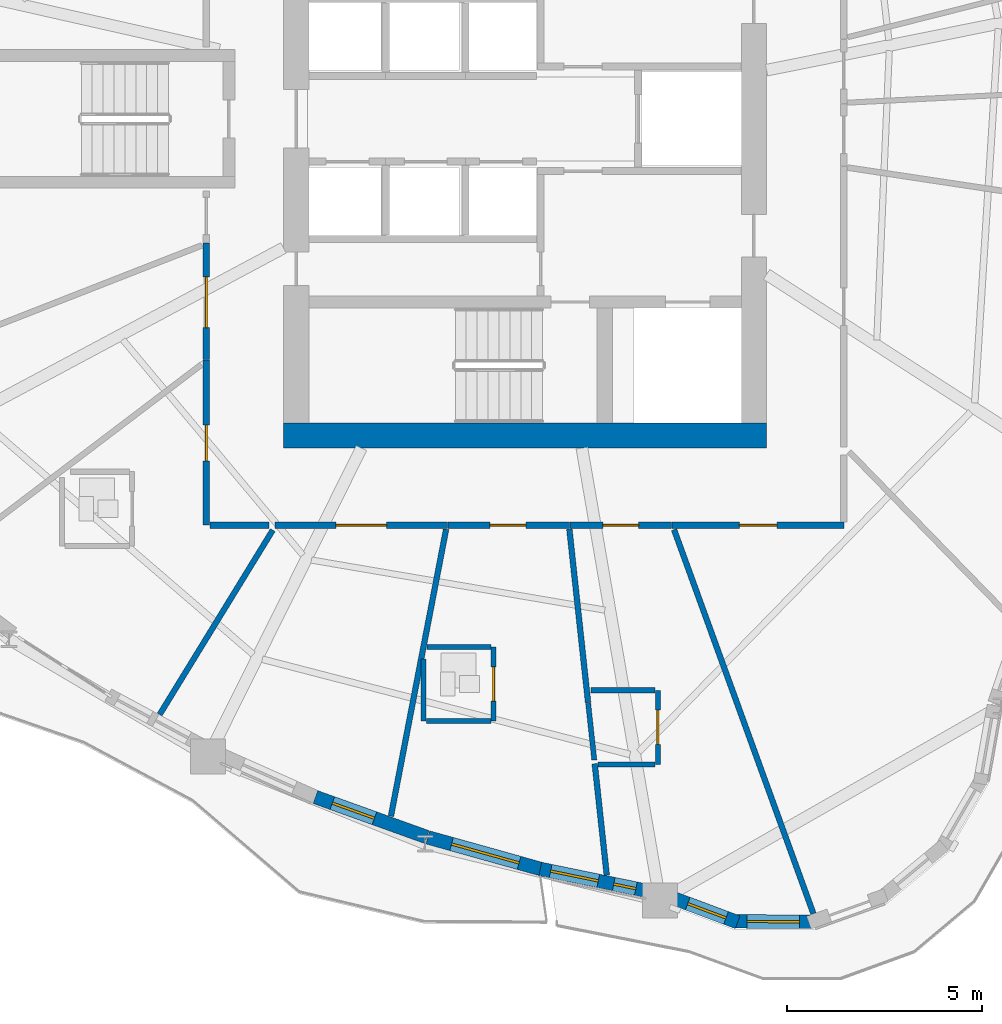
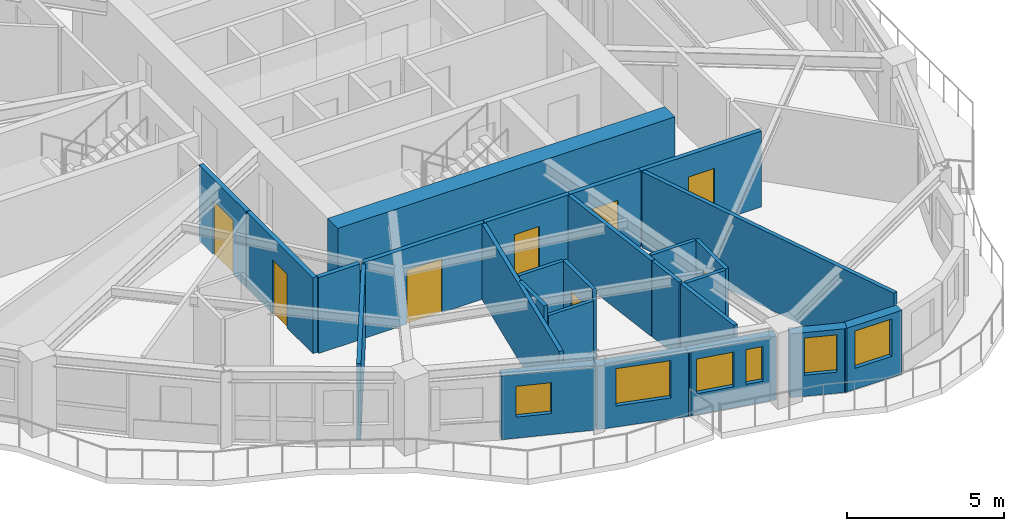
# One storey, part 5 of 15: 26 walls, 8 doors, 6 windows, 14 openings.
"""IFC4 building model written with IfcOpenShell, lengths in metres."""

from ifc_helpers import new_model, si_unit, direction, frame, frame_2d, origin, place, context, subcontext, project, spatial, rectangle, extrude, source, transform, mapped, material, layer, layer_set, type_object, element, fill, save


model = new_model("IFC4")

# Units and contexts
model_context = context("Model", 3, precision=1e-05, world=origin(), true_north=direction((0.0, 1.0)))
body_context = subcontext(model_context, "Body", "Model", "MODEL_VIEW")
ifc_project = project(units=[si_unit("LENGTHUNIT", "METRE"), si_unit("AREAUNIT", "SQUARE_METRE"), si_unit("VOLUMEUNIT", "CUBIC_METRE"), si_unit("PLANEANGLEUNIT", "RADIAN"), si_unit("MASSUNIT", "GRAM", prefix="KILO")], contexts=[model_context])

# Site, building, storey
site_placement = place(None, origin())
site = spatial("IfcSite", under=ifc_project, at=site_placement, CompositionType="ELEMENT")
building_placement = place(site_placement, origin())
building = spatial("IfcBuilding", under=site, at=building_placement, Name="Qafzar Sky-Pleat Residences", CompositionType="ELEMENT")
storey_placement = place(building_placement, frame((0.0, 0.0, 70.39990234375)))
storey = spatial("IfcBuildingStorey", under=building, at=storey_placement, Name="L20", CompositionType="ELEMENT", Elevation=70.39990234375)

# Wall, opening, door
ifc_material_1 = material(Name="Acoustic gypsum plasterboard partition", Category="gypsum")
ifc_layer_1 = layer(ifc_material_1, 0.159912109375)
ifc_layer_set_1 = layer_set([ifc_layer_1], Name="Acoustic gypsum plasterboard partition")
wall_type_1 = type_object("IfcWallType", Name="PART-COR-160", PredefinedType="PARTITIONING", material=ifc_layer_set_1)
wall_1_placement = place(storey_placement, frame((28.35888671875, 15.570068359375, 0.0), z_axis=(0.0, 0.0, 1.0), x_axis=(-1.0, 0.0, 0.0)))
wall_1 = element("IfcWall", 1, at=wall_1_placement, inside=storey, type_object=wall_type_1, Name="L20 Partition Wall PART-L20-PW-005", PredefinedType="PARTITIONING", context=body_context, shape_type="SweptSolid", body=[
    extrude(rectangle(XDim=4.423828125, YDim=0.159912109375, at=frame_2d((2.2119140625, 0.0))), origin(), (0.0, 0.0, 1.0), 2.9501953125),
])
opening_1_placement = place(wall_1_placement, frame((1.56103515625, 0.0, 0.0)))
opening_1 = element("IfcOpeningElement", 2, at=opening_1_placement, cuts=wall_1, Name="Opening ID-05", PredefinedType="OPENING", context=body_context, shape_type="SweptSolid", body=[
    extrude(rectangle(XDim=1.300048828125, YDim=2.10009765625, at=frame_2d((0.64990234375, 1.050048828125))), frame((0.0, 0.08984375, 0.0), z_axis=(0.0, -1.0, 0.0), x_axis=(1.0, 0.0, 0.0)), (0.0, 0.0, 1.0), 0.179931640625),
])
ifc_material_2 = material(Name="Timber-faced fire door", Category="wood")
door_type_1 = type_object("IfcDoorType", Name="DR-LNG-1300", OperationType="DOUBLE_DOOR_SINGLE_SWING", PredefinedType="DOOR", material=ifc_material_2)
shared_shape_1 = source(origin(), body_context, "Body", "SweptSolid", [
    extrude(rectangle(XDim=1.300048828125, YDim=2.10009765625, at=frame_2d((0.64990234375, 1.050048828125))), frame((0.0, 0.02490234375, 0.0), z_axis=(0.0, -1.0, 0.0), x_axis=(1.0, 0.0, 0.0)), (0.0, 0.0, 1.0), 0.050048828125),
])
door_1_placement = place(opening_1_placement, origin())
door_1 = element("IfcDoor", 3, at=door_1_placement, inside=storey, type_object=door_type_1, Name="L20 Communal Kitchen Door", OperationType="DOUBLE_DOOR_SINGLE_SWING", OverallHeight=2.10009765625, OverallWidth=1.300048828125, PredefinedType="DOOR", context=body_context, shape_type="MappedRepresentation", body=[
    mapped(shared_shape_1, transform((0.0, 0.0, 0.0), x_axis=(1.0, 0.0, 0.0), y_axis=(0.0, 1.0, 0.0), z_axis=(0.0, 0.0, 1.0), scale=1.0)),
])
fill(opening_1, door_1)

wall_2_placement = place(storey_placement, frame((38.530029296875, 15.570068359375, 0.0), z_axis=(0.0, 0.0, 1.0), x_axis=(-1.0, 0.0, 0.0)))
wall_2 = element("IfcWall", 4, at=wall_2_placement, inside=storey, type_object=wall_type_1, Name="L20 Partition Wall PART-L20-PW-006", PredefinedType="PARTITIONING", context=body_context, shape_type="SweptSolid", body=[
    extrude(rectangle(XDim=4.412109375, YDim=0.159912109375, at=frame_2d((2.2060546875, 0.0))), origin(), (0.0, 0.0, 1.0), 2.9501953125),
])
opening_2_placement = place(wall_2_placement, frame((1.718017578125, 0.0, 0.0)))
opening_2 = element("IfcOpeningElement", 5, at=opening_2_placement, cuts=wall_2, Name="Opening ID-06", PredefinedType="OPENING", context=body_context, shape_type="SweptSolid", body=[
    extrude(rectangle(XDim=0.9599609375, YDim=2.10009765625, at=frame_2d((0.47998046875, 1.050048828125))), frame((0.0, 0.08984375, 0.0), z_axis=(0.0, -1.0, 0.0), x_axis=(1.0, 0.0, 0.0)), (0.0, 0.0, 1.0), 0.179931640625),
])
door_type_2 = type_object("IfcDoorType", Name="DR-STD-960", OperationType="NOTDEFINED", PredefinedType="DOOR", material=ifc_material_2)
shared_shape_2 = source(origin(), body_context, "Body", "SweptSolid", [
    extrude(rectangle(XDim=0.9599609375, YDim=2.10009765625, at=frame_2d((0.47998046875, 1.050048828125))), frame((0.0, 0.02490234375, 0.0), z_axis=(0.0, -1.0, 0.0), x_axis=(1.0, 0.0, 0.0)), (0.0, 0.0, 1.0), 0.050048828125),
])
door_2_placement = place(opening_2_placement, origin())
door_2 = element("IfcDoor", 6, at=door_2_placement, inside=storey, type_object=door_type_2, Name="L20 Graduate Desk Workspace Door", OperationType="SINGLE_SWING_RIGHT", OverallHeight=2.10009765625, OverallWidth=0.9599609375, PredefinedType="DOOR", context=body_context, shape_type="MappedRepresentation", body=[
    mapped(shared_shape_2, transform((0.0, 0.0, 0.0), x_axis=(1.0, 0.0, 0.0), y_axis=(0.0, 1.0, 0.0), z_axis=(0.0, 0.0, 1.0), scale=1.0)),
])
fill(opening_2, door_2)

wall_3_placement = place(storey_placement, frame((22.169921875, 15.570068359375, 0.0), z_axis=(0.0, 0.0, 1.0), x_axis=(0.0, 1.0, 0.0)))
wall_3 = element("IfcWall", 7, at=wall_3_placement, inside=storey, type_object=wall_type_1, Name="L20 Partition Wall PART-L20-PW-007", PredefinedType="PARTITIONING", context=body_context, shape_type="SweptSolid", body=[
    extrude(rectangle(XDim=4.238037109375, YDim=0.159912109375, at=frame_2d((2.119140625, 0.0))), origin(), (0.0, 0.0, 1.0), 2.9501953125),
])
opening_3_placement = place(wall_3_placement, frame((1.6494140625, 0.0, 0.0)))
opening_3 = element("IfcOpeningElement", 8, at=opening_3_placement, cuts=wall_3, Name="Opening ID-04", PredefinedType="OPENING", context=body_context, shape_type="SweptSolid", body=[
    extrude(rectangle(XDim=0.919921875, YDim=2.10009765625, at=frame_2d((0.4599609375, 1.050048828125))), frame((0.0, 0.08984375, 0.0), z_axis=(0.0, -1.0, 0.0), x_axis=(1.0, 0.0, 0.0)), (0.0, 0.0, 1.0), 0.179931640625),
])
door_type_3 = type_object("IfcDoorType", Name="DR-BED-920", OperationType="NOTDEFINED", PredefinedType="DOOR", material=ifc_material_2)
shared_shape_3 = source(origin(), body_context, "Body", "SweptSolid", [
    extrude(rectangle(XDim=0.919921875, YDim=2.10009765625, at=frame_2d((0.4599609375, 1.050048828125))), frame((0.0, 0.02490234375, 0.0), z_axis=(0.0, -1.0, 0.0), x_axis=(1.0, 0.0, 0.0)), (0.0, 0.0, 1.0), 0.050048828125),
])
door_3_placement = place(opening_3_placement, origin())
door_3 = element("IfcDoor", 9, at=door_3_placement, inside=storey, type_object=door_type_3, Name="L20 Co-Living Bedroom 5 Door", OperationType="SINGLE_SWING_LEFT", OverallHeight=2.10009765625, OverallWidth=0.919921875, PredefinedType="DOOR", context=body_context, shape_type="MappedRepresentation", body=[
    mapped(shared_shape_3, transform((0.0, 0.0, 0.0), x_axis=(1.0, 0.0, 0.0), y_axis=(0.0, 1.0, 0.0), z_axis=(0.0, 0.0, 1.0), scale=1.0)),
])
fill(opening_3, door_3)

wall_4_placement = place(storey_placement, frame((31.491943359375, 15.570068359375, 0.0), z_axis=(0.0, 0.0, 1.0), x_axis=(-1.0, 0.0, 0.0)))
wall_4 = element("IfcWall", 10, at=wall_4_placement, inside=storey, type_object=wall_type_1, Name="L20 Partition Wall PART-L20-PW-010", PredefinedType="PARTITIONING", context=body_context, shape_type="SweptSolid", body=[
    extrude(rectangle(XDim=3.117919921875, YDim=0.159912109375, at=frame_2d((1.55908203125, 0.0))), origin(), (0.0, 0.0, 1.0), 2.9501953125),
])
opening_4_placement = place(wall_4_placement, frame((1.12158203125, 0.0, 0.0)))
opening_4 = element("IfcOpeningElement", 11, at=opening_4_placement, cuts=wall_4, Name="Opening ID-04", PredefinedType="OPENING", context=body_context, shape_type="SweptSolid", body=[
    extrude(rectangle(XDim=0.919921875, YDim=2.10009765625, at=frame_2d((0.4599609375, 1.050048828125))), frame((0.0, 0.08984375, 0.0), z_axis=(0.0, -1.0, 0.0), x_axis=(1.0, 0.0, 0.0)), (0.0, 0.0, 1.0), 0.179931640625),
])
door_4_placement = place(opening_4_placement, origin())
door_4 = element("IfcDoor", 12, at=door_4_placement, inside=storey, type_object=door_type_3, Name="L20 Co-Living Bedroom 6 Door", OperationType="SINGLE_SWING_RIGHT", OverallHeight=2.10009765625, OverallWidth=0.919921875, PredefinedType="DOOR", context=body_context, shape_type="MappedRepresentation", body=[
    mapped(shared_shape_3, transform((0.0, 0.0, 0.0), x_axis=(1.0, 0.0, 0.0), y_axis=(0.0, 1.0, 0.0), z_axis=(0.0, 0.0, 1.0), scale=1.0)),
])
fill(opening_4, door_4)

wall_5_placement = place(storey_placement, frame((22.169921875, 19.822998046875, 0.0), z_axis=(0.0, 0.0, 1.0), x_axis=(0.0, 1.0, 0.0)))
wall_5 = element("IfcWall", 13, at=wall_5_placement, inside=storey, type_object=wall_type_1, Name="L20 Partition Wall PART-L20-PW-012", PredefinedType="PARTITIONING", context=body_context, shape_type="SweptSolid", body=[
    extrude(rectangle(XDim=2.990966796875, YDim=0.159912109375, at=frame_2d((1.49560546875, 0.0))), origin(), (0.0, 0.0, 1.0), 2.9501953125),
])
opening_5_placement = place(wall_5_placement, frame((0.820556640625, 0.0, 0.0)))
opening_5 = element("IfcOpeningElement", 14, at=opening_5_placement, cuts=wall_5, Name="Opening ID-05", PredefinedType="OPENING", context=body_context, shape_type="SweptSolid", body=[
    extrude(rectangle(XDim=1.300048828125, YDim=2.10009765625, at=frame_2d((0.64990234375, 1.050048828125))), frame((0.0, 0.08984375, 0.0), z_axis=(0.0, -1.0, 0.0), x_axis=(1.0, 0.0, 0.0)), (0.0, 0.0, 1.0), 0.179931640625),
])
door_5_placement = place(opening_5_placement, origin())
door_5 = element("IfcDoor", 15, at=door_5_placement, inside=storey, type_object=door_type_1, Name="L20 Common Dining Room Door", OperationType="DOUBLE_DOOR_SINGLE_SWING", OverallHeight=2.10009765625, OverallWidth=1.300048828125, PredefinedType="DOOR", context=body_context, shape_type="MappedRepresentation", body=[
    mapped(shared_shape_1, transform((0.0, 0.0, 0.0), x_axis=(1.0, 0.0, 0.0), y_axis=(0.0, 1.0, 0.0), z_axis=(0.0, 0.0, 1.0), scale=1.0)),
])
fill(opening_5, door_5)

wall_6_placement = place(storey_placement, frame((34.10302734375, 15.570068359375, 0.0), z_axis=(0.0, 0.0, 1.0), x_axis=(-1.0, 0.0, 0.0)))
wall_6 = element("IfcWall", 16, at=wall_6_placement, inside=storey, type_object=wall_type_1, Name="L20 Partition Wall PART-L20-PW-013", PredefinedType="PARTITIONING", context=body_context, shape_type="SweptSolid", body=[
    extrude(rectangle(XDim=2.595947265625, YDim=0.159912109375, at=frame_2d((1.2978515625, 0.0))), origin(), (0.0, 0.0, 1.0), 2.9501953125),
])
opening_6_placement = place(wall_6_placement, frame((0.83740234375, 0.0, 0.0)))
opening_6 = element("IfcOpeningElement", 17, at=opening_6_placement, cuts=wall_6, Name="Opening ID-04", PredefinedType="OPENING", context=body_context, shape_type="SweptSolid", body=[
    extrude(rectangle(XDim=0.919921875, YDim=2.10009765625, at=frame_2d((0.4599609375, 1.050048828125))), frame((0.0, 0.08984375, 0.0), z_axis=(0.0, -1.0, 0.0), x_axis=(1.0, 0.0, 0.0)), (0.0, 0.0, 1.0), 0.179931640625),
])
door_6_placement = place(opening_6_placement, origin())
door_6 = element("IfcDoor", 18, at=door_6_placement, inside=storey, type_object=door_type_3, Name="L20 Co-Living Bedroom 7 Door", OperationType="SINGLE_SWING_LEFT", OverallHeight=2.10009765625, OverallWidth=0.919921875, PredefinedType="DOOR", context=body_context, shape_type="MappedRepresentation", body=[
    mapped(shared_shape_3, transform((0.0, 0.0, 0.0), x_axis=(1.0, 0.0, 0.0), y_axis=(0.0, 1.0, 0.0), z_axis=(0.0, 0.0, 1.0), scale=1.0)),
])
fill(opening_6, door_6)

# Walls
wall_7_placement = place(storey_placement, frame((22.258056640625, 15.570068359375, 0.0), z_axis=(0.0, 0.0, 1.0), x_axis=(1.0, 0.0, 0.0)))
element("IfcWall", 19, at=wall_7_placement, inside=storey, type_object=wall_type_1, Name="L20 Partition Wall PART-L20-PW-062", PredefinedType="PARTITIONING", context=body_context, shape_type="SweptSolid", body=[
    extrude(rectangle(XDim=1.519775390625, YDim=0.159912109375, at=frame_2d((0.759765625, 0.0))), origin(), (0.0, 0.0, 1.0), 2.9501953125),
])
ifc_layer_2 = layer(ifc_material_1, 0.14501953125)
ifc_layer_set_2 = layer_set([ifc_layer_2], Name="Acoustic gypsum plasterboard partition")
wall_type_2 = type_object("IfcWallType", Name="PART-UNIT-145", PredefinedType="PARTITIONING", material=ifc_layer_set_2)
wall_8_placement = place(storey_placement, frame((34.1748046875, 15.457763671875, 0.0), z_axis=(0.0, 0.0, 1.0), x_axis=(0.341079223998, -0.940034554129, 0.0)))
element("IfcWall", 20, at=wall_8_placement, inside=storey, type_object=wall_type_2, Name="L20 Partition Wall PART-L20-PW-026", PredefinedType="PARTITIONING", context=body_context, shape_type="SweptSolid", body=[
    extrude(rectangle(XDim=10.484130859375, YDim=0.14501953125, at=frame_2d((5.2421875, 0.0))), origin(), (0.0, 0.0, 1.0), 2.9501953125),
])
wall_9_placement = place(storey_placement, frame((26.90771484375, 8.10400390625, 0.0), z_axis=(0.0, 0.0, 1.0), x_axis=(0.188911386882, 0.981994138428, 0.0)))
element("IfcWall", 21, at=wall_9_placement, inside=storey, type_object=wall_type_2, Name="L20 Partition Wall PART-L20-PW-033", PredefinedType="PARTITIONING", context=body_context, shape_type="SweptSolid", body=[
    extrude(rectangle(XDim=7.49951171875, YDim=0.14501953125, at=frame_2d((3.749755859375, 0.0))), origin(), (0.0, 0.0, 1.0), 2.9501953125),
])
wall_10_placement = place(storey_placement, frame((20.973388671875, 10.714599609375, 0.0), z_axis=(0.0, 0.0, 1.0), x_axis=(0.522906546436, 0.852390018533, 0.0)))
element("IfcWall", 22, at=wall_10_placement, inside=storey, type_object=wall_type_2, Name="L20 Partition Wall PART-L20-PW-040", PredefinedType="PARTITIONING", context=body_context, shape_type="SweptSolid", body=[
    extrude(rectangle(XDim=5.550048828125, YDim=0.14501953125, at=frame_2d((2.77490234375, 0.0))), origin(), (0.0, 0.0, 1.0), 2.9501953125),
])
wall_11_placement = place(storey_placement, frame((31.4873046875, 15.474365234375, 0.0), z_axis=(0.0, 0.0, 1.0), x_axis=(0.107366994444, -0.994219456913, 0.0)))
element("IfcWall", 23, at=wall_11_placement, inside=storey, type_object=wall_type_2, Name="L20 Partition Wall PART-L20-PW-042", PredefinedType="PARTITIONING", context=body_context, shape_type="SweptSolid", body=[
    extrude(rectangle(XDim=4.486328125, YDim=0.14501953125, at=frame_2d((2.2431640625, 0.0))), origin(), (0.0, 0.0, 1.0), 2.9501953125),
])
wall_12_placement = place(storey_placement, frame((32.137939453125, 9.449951171875, 0.0), z_axis=(0.0, 0.0, 1.0), x_axis=(0.107518086749, -0.994203128652, 0.0)))
element("IfcWall", 24, at=wall_12_placement, inside=storey, type_object=wall_type_2, Name="L20 Partition Wall PART-L20-PW-043", PredefinedType="PARTITIONING", context=body_context, shape_type="SweptSolid", body=[
    extrude(rectangle(XDim=2.879150390625, YDim=0.14501953125, at=frame_2d((1.439453125, 0.0))), origin(), (0.0, 0.0, 1.0), 2.9501953125),
])

# Wall, opening, door
ifc_material_3 = material(Name="Moisture-resistant gypsum partition", Category="gypsum")
ifc_layer_3 = layer(ifc_material_3, 0.1298828125)
ifc_layer_set_3 = layer_set([ifc_layer_3], Name="Moisture-resistant gypsum partition")
wall_type_3 = type_object("IfcWallType", Name="PART-WET-130", PredefinedType="PARTITIONING", material=ifc_layer_set_3)
wall_13_placement = place(storey_placement, frame((29.5439453125, 10.548095703125, 0.0), z_axis=(0.0, 0.0, 1.0), x_axis=(0.0, 1.0, 0.0)))
wall_13 = element("IfcWall", 25, at=wall_13_placement, inside=storey, type_object=wall_type_3, Name="L20 Partition Wall PART-L20-PW-016", PredefinedType="PARTITIONING", context=body_context, shape_type="SweptSolid", body=[
    extrude(rectangle(XDim=1.89990234375, YDim=0.1298828125, at=frame_2d((0.949951171875, 0.0))), origin(), (0.0, 0.0, 1.0), 2.9501953125),
])
opening_7_placement = place(wall_13_placement, frame((0.510009765625, 0.0, 0.0)))
opening_7 = element("IfcOpeningElement", 26, at=opening_7_placement, cuts=wall_13, Name="Opening ID-07", PredefinedType="OPENING", context=body_context, shape_type="SweptSolid", body=[
    extrude(rectangle(XDim=0.8798828125, YDim=2.050048828125, at=frame_2d((0.43994140625, 1.02490234375))), frame((0.0, 0.074951171875, 0.0), z_axis=(0.0, -1.0, 0.0), x_axis=(1.0, 0.0, 0.0)), (0.0, 0.0, 1.0), 0.14990234375),
])
door_type_4 = type_object("IfcDoorType", Name="DR-WET-880", OperationType="NOTDEFINED", PredefinedType="DOOR", material=ifc_material_2)
shared_shape_4 = source(origin(), body_context, "Body", "SweptSolid", [
    extrude(rectangle(XDim=0.8798828125, YDim=2.050048828125, at=frame_2d((0.43994140625, 1.02490234375))), frame((0.0, 0.02490234375, 0.0), z_axis=(0.0, -1.0, 0.0), x_axis=(1.0, 0.0, 0.0)), (0.0, 0.0, 1.0), 0.050048828125),
])
door_7_placement = place(opening_7_placement, origin())
door_7 = element("IfcDoor", 27, at=door_7_placement, inside=storey, type_object=door_type_4, Name="L20 En-suite Bathroom 6 Door", OperationType="SINGLE_SWING_RIGHT", OverallHeight=2.050048828125, OverallWidth=0.8798828125, PredefinedType="DOOR", context=body_context, shape_type="MappedRepresentation", body=[
    mapped(shared_shape_4, transform((0.0, 0.0, 0.0), x_axis=(1.0, 0.0, 0.0), y_axis=(0.0, 1.0, 0.0), z_axis=(0.0, 0.0, 1.0), scale=1.0)),
])
fill(opening_7, door_7)

wall_14_placement = place(storey_placement, frame((33.760986328125, 9.43505859375, 0.0), z_axis=(0.0, 0.0, 1.0), x_axis=(0.0, 1.0, 0.0)))
wall_14 = element("IfcWall", 28, at=wall_14_placement, inside=storey, type_object=wall_type_3, Name="L20 Partition Wall PART-L20-PW-017", PredefinedType="PARTITIONING", context=body_context, shape_type="SweptSolid", body=[
    extrude(rectangle(XDim=1.89990234375, YDim=0.1298828125, at=frame_2d((0.949951171875, 0.0))), origin(), (0.0, 0.0, 1.0), 2.9501953125),
])
opening_8_placement = place(wall_14_placement, frame((0.510009765625, 0.0, 0.0)))
opening_8 = element("IfcOpeningElement", 29, at=opening_8_placement, cuts=wall_14, Name="Opening ID-07", PredefinedType="OPENING", context=body_context, shape_type="SweptSolid", body=[
    extrude(rectangle(XDim=0.8798828125, YDim=2.050048828125, at=frame_2d((0.43994140625, 1.02490234375))), frame((0.0, 0.074951171875, 0.0), z_axis=(0.0, -1.0, 0.0), x_axis=(1.0, 0.0, 0.0)), (0.0, 0.0, 1.0), 0.14990234375),
])
door_8_placement = place(opening_8_placement, origin())
door_8 = element("IfcDoor", 30, at=door_8_placement, inside=storey, type_object=door_type_4, Name="L20 En-suite Bathroom 7 Door", OperationType="SINGLE_SWING_LEFT", OverallHeight=2.050048828125, OverallWidth=0.8798828125, PredefinedType="DOOR", context=body_context, shape_type="MappedRepresentation", body=[
    mapped(shared_shape_4, transform((0.0, 0.0, 0.0), x_axis=(1.0, 0.0, 0.0), y_axis=(0.0, 1.0, 0.0), z_axis=(0.0, 0.0, 1.0), scale=1.0)),
])
fill(opening_8, door_8)

# Walls
wall_15_placement = place(storey_placement, frame((27.743896484375, 10.548095703125, 0.0), z_axis=(0.0, 0.0, 1.0), x_axis=(0.0, 1.0, 0.0)))
element("IfcWall", 31, at=wall_15_placement, inside=storey, type_object=wall_type_3, Name="L20 Partition Wall PART-L20-PW-047", PredefinedType="PARTITIONING", context=body_context, shape_type="SweptSolid", body=[
    extrude(rectangle(XDim=1.5849609375, YDim=0.1298828125, at=frame_2d((0.79248046875, 0.0))), origin(), (0.0, 0.0, 1.0), 2.9501953125),
])
wall_16_placement = place(storey_placement, frame((32.048828125, 11.3349609375, 0.0), z_axis=(0.0, 0.0, 1.0), x_axis=(1.0, 0.0, 0.0)))
element("IfcWall", 32, at=wall_16_placement, inside=storey, type_object=wall_type_3, Name="L20 Partition Wall PART-L20-PW-051", PredefinedType="PARTITIONING", context=body_context, shape_type="SweptSolid", body=[
    extrude(rectangle(XDim=1.63916015625, YDim=0.1298828125, at=frame_2d((0.819580078125, 0.0))), origin(), (0.0, 0.0, 1.0), 2.9501953125),
])
wall_17_placement = place(storey_placement, frame((27.83837890625, 12.447998046875, 0.0), z_axis=(0.0, 0.0, 1.0), x_axis=(1.0, 0.0, 0.0)))
element("IfcWall", 33, at=wall_17_placement, inside=storey, type_object=wall_type_3, Name="L20 Partition Wall PART-L20-PW-058", PredefinedType="PARTITIONING", context=body_context, shape_type="SweptSolid", body=[
    extrude(rectangle(XDim=1.632568359375, YDim=0.1298828125, at=frame_2d((0.81640625, 0.0))), origin(), (0.0, 0.0, 1.0), 2.9501953125),
])
wall_18_placement = place(storey_placement, frame((27.81689453125, 10.548095703125, 0.0), z_axis=(0.0, 0.0, 1.0), x_axis=(1.0, 0.0, 0.0)))
element("IfcWall", 34, at=wall_18_placement, inside=storey, type_object=wall_type_3, Name="L20 Partition Wall PART-L20-PW-059", PredefinedType="PARTITIONING", context=body_context, shape_type="SweptSolid", body=[
    extrude(rectangle(XDim=1.654052734375, YDim=0.1298828125, at=frame_2d((0.8271484375, 0.0))), origin(), (0.0, 0.0, 1.0), 2.55810546875),
])
wall_19_placement = place(storey_placement, frame((32.22802734375, 9.43505859375, 0.0), z_axis=(0.0, 0.0, 1.0), x_axis=(1.0, 0.0, 0.0)))
element("IfcWall", 35, at=wall_19_placement, inside=storey, type_object=wall_type_3, Name="L20 Partition Wall PART-L20-PW-063", PredefinedType="PARTITIONING", context=body_context, shape_type="SweptSolid", body=[
    extrude(rectangle(XDim=1.4599609375, YDim=0.1298828125, at=frame_2d((0.72998046875, 0.0))), origin(), (0.0, 0.0, 1.0), 2.9501953125),
])
wall_20_placement = place(storey_placement, frame((31.970703125, 10.9990234375, 0.0), z_axis=(0.0, 0.0, 1.0), x_axis=(0.107334680039, -0.994222946054, 0.0)))
element("IfcWall", 36, at=wall_20_placement, inside=storey, type_object=wall_type_3, Name="L20 Partition Wall PART-L20-PW-064", PredefinedType="PARTITIONING", context=body_context, shape_type="SweptSolid", body=[
    extrude(rectangle(XDim=1.462646484375, YDim=0.1298828125, at=frame_2d((0.7314453125, 0.0))), origin(), (0.0, 0.0, 1.0), 2.9501953125),
])

# Wall, opening, window
ifc_material_4 = material(Name="Precast concrete C40/50 with honed Riyadh limestone", Category="concrete")
ifc_layer_4 = layer(ifc_material_4, 0.35009765625)
ifc_layer_set_4 = layer_set([ifc_layer_4], Name="Precast concrete C40/50 with honed Riyadh limestone")
wall_type_4 = type_object("IfcWallType", Name="WALL-EXT-350", PredefinedType="SOLIDWALL", material=ifc_layer_set_4)
wall_21_placement = place(storey_placement, frame((24.968017578125, 8.5947265625, 0.0), z_axis=(0.0, 0.0, 1.0), x_axis=(0.941116670911, -0.338081960082, 0.0)))
wall_21 = element("IfcWall", 37, at=wall_21_placement, inside=storey, type_object=wall_type_4, Name="L20 Limestone Facade Wall 14", PredefinedType="SOLIDWALL", context=body_context, shape_type="SweptSolid", body=[
    extrude(rectangle(XDim=3.0380859375, YDim=0.35009765625, at=frame_2d((1.51904296875, 0.0))), origin(), (0.0, 0.0, 1.0), 2.47998046875),
])
opening_9_placement = place(wall_21_placement, frame((0.462890625, 0.0, 0.820068359375)))
opening_9 = element("IfcOpeningElement", 38, at=opening_9_placement, cuts=wall_21, Name="Opening WN-16", PredefinedType="OPENING", context=body_context, shape_type="SweptSolid", body=[
    extrude(rectangle(XDim=1.14990234375, YDim=1.199951171875, at=frame_2d((0.574951171875, 0.60009765625))), frame((0.0, 0.18505859375, 0.0), z_axis=(0.0, -1.0, 0.0), x_axis=(1.0, 0.0, 0.0)), (0.0, 0.0, 1.0), 0.3701171875),
])
ifc_material_5 = material(Name="Solar-control low-E glass in bronze aluminium frame", Category="glass")
window_type_1 = type_object("IfcWindowType", Name="WIN-16", PartitioningType="SINGLE_PANEL", PredefinedType="WINDOW", material=ifc_material_5)
shared_shape_5 = source(origin(), body_context, "Body", "SweptSolid", [
    extrude(rectangle(XDim=1.14990234375, YDim=1.199951171875, at=frame_2d((0.574951171875, 0.60009765625))), frame((0.0, 0.030029296875, 0.0), z_axis=(0.0, -1.0, 0.0), x_axis=(1.0, 0.0, 0.0)), (0.0, 0.0, 1.0), 0.06005859375),
])
window_1_placement = place(opening_9_placement, origin())
window_1 = element("IfcWindow", 39, at=window_1_placement, inside=storey, type_object=window_type_1, Name="L20 Punched Facade Window 14", OverallHeight=1.199951171875, OverallWidth=1.14990234375, PartitioningType="SINGLE_PANEL", PredefinedType="WINDOW", context=body_context, shape_type="MappedRepresentation", body=[
    mapped(shared_shape_5, transform((0.0, 0.0, 0.0), x_axis=(1.0, 0.0, 0.0), y_axis=(0.0, 1.0, 0.0), z_axis=(0.0, 0.0, 1.0), scale=1.0)),
])
fill(opening_9, window_1)

wall_22_placement = place(storey_placement, frame((27.853271484375, 7.55908203125, 0.0), z_axis=(0.0, 0.0, 1.0), x_axis=(0.963060030054, -0.269286796024, 0.0)))
wall_22 = element("IfcWall", 40, at=wall_22_placement, inside=storey, type_object=wall_type_4, Name="L20 Limestone Facade Wall 15", PredefinedType="SOLIDWALL", context=body_context, shape_type="SweptSolid", body=[
    extrude(rectangle(XDim=3.087890625, YDim=0.35009765625, at=frame_2d((1.5439453125, 0.0))), origin(), (0.0, 0.0, 1.0), 2.47998046875),
])
opening_10_placement = place(wall_22_placement, frame((0.634033203125, 0.0, 0.820068359375)))
opening_10 = element("IfcOpeningElement", 41, at=opening_10_placement, cuts=wall_22, Name="Opening WN-01", PredefinedType="OPENING", context=body_context, shape_type="SweptSolid", body=[
    extrude(rectangle(XDim=1.800048828125, YDim=1.449951171875, at=frame_2d((0.89990234375, 0.72509765625))), frame((0.0, 0.18505859375, 0.0), z_axis=(0.0, -1.0, 0.0), x_axis=(1.0, 0.0, 0.0)), (0.0, 0.0, 1.0), 0.3701171875),
])
window_type_2 = type_object("IfcWindowType", Name="WIN-01", PartitioningType="DOUBLE_PANEL_VERTICAL", PredefinedType="WINDOW", material=ifc_material_5)
shared_shape_6 = source(origin(), body_context, "Body", "SweptSolid", [
    extrude(rectangle(XDim=1.800048828125, YDim=1.449951171875, at=frame_2d((0.89990234375, 0.72509765625))), frame((0.0, 0.030029296875, 0.0), z_axis=(0.0, -1.0, 0.0), x_axis=(1.0, 0.0, 0.0)), (0.0, 0.0, 1.0), 0.06005859375),
])
window_2_placement = place(opening_10_placement, origin())
window_2 = element("IfcWindow", 42, at=window_2_placement, inside=storey, type_object=window_type_2, Name="L20 Punched Facade Window 15", OverallHeight=1.449951171875, OverallWidth=1.800048828125, PartitioningType="SINGLE_PANEL", PredefinedType="WINDOW", context=body_context, shape_type="MappedRepresentation", body=[
    mapped(shared_shape_6, transform((0.0, 0.0, 0.0), x_axis=(1.0, 0.0, 0.0), y_axis=(0.0, 1.0, 0.0), z_axis=(0.0, 0.0, 1.0), scale=1.0)),
])
fill(opening_10, window_2)

# Wall, openings, windows
wall_23_placement = place(storey_placement, frame((30.741455078125, 6.748291015625, 0.0), z_axis=(0.0, 0.0, 1.0), x_axis=(0.979446941056, -0.201701982282, 0.0)))
wall_23 = element("IfcWall", 43, at=wall_23_placement, inside=storey, type_object=wall_type_4, Name="L20 Limestone Facade Wall 16", PredefinedType="SOLIDWALL", context=body_context, shape_type="SweptSolid", body=[
    extrude(rectangle(XDim=2.948486328125, YDim=0.35009765625, at=frame_2d((1.47412109375, 0.0))), origin(), (0.0, 0.0, 1.0), 2.47998046875),
])
opening_11_placement = place(wall_23_placement, frame((0.27001953125, 0.0, 0.820068359375)))
opening_11 = element("IfcOpeningElement", 44, at=opening_11_placement, cuts=wall_23, Name="Opening WN-11", PredefinedType="OPENING", context=body_context, shape_type="SweptSolid", body=[
    extrude(rectangle(XDim=1.25, YDim=1.35009765625, at=frame_2d((0.625, 0.675048828125))), frame((0.0, 0.18505859375, 0.0), z_axis=(0.0, -1.0, 0.0), x_axis=(1.0, 0.0, 0.0)), (0.0, 0.0, 1.0), 0.3701171875),
])
opening_12_placement = place(wall_23_placement, frame((1.924560546875, 0.0, 0.820068359375)))
opening_12 = element("IfcOpeningElement", 45, at=opening_12_placement, cuts=wall_23, Name="Opening WN-17", PredefinedType="OPENING", context=body_context, shape_type="SweptSolid", body=[
    extrude(rectangle(XDim=0.580078125, YDim=1.35009765625, at=frame_2d((0.2900390625, 0.675048828125))), frame((0.0, 0.18505859375, 0.0), z_axis=(0.0, -1.0, 0.0), x_axis=(1.0, 0.0, 0.0)), (0.0, 0.0, 1.0), 0.3701171875),
])
window_type_3 = type_object("IfcWindowType", Name="WIN-17", PartitioningType="SINGLE_PANEL", PredefinedType="WINDOW", material=ifc_material_5)
shared_shape_7 = source(origin(), body_context, "Body", "SweptSolid", [
    extrude(rectangle(XDim=0.580078125, YDim=1.35009765625, at=frame_2d((0.2900390625, 0.675048828125))), frame((0.0, 0.030029296875, 0.0), z_axis=(0.0, -1.0, 0.0), x_axis=(1.0, 0.0, 0.0)), (0.0, 0.0, 1.0), 0.06005859375),
])
window_3_placement = place(opening_12_placement, origin())
window_3 = element("IfcWindow", 46, at=window_3_placement, inside=storey, type_object=window_type_3, Name="L20 Punched Facade Window 16-2", OverallHeight=1.35009765625, OverallWidth=0.580078125, PartitioningType="SINGLE_PANEL", PredefinedType="WINDOW", context=body_context, shape_type="MappedRepresentation", body=[
    mapped(shared_shape_7, transform((0.0, 0.0, 0.0), x_axis=(1.0, 0.0, 0.0), y_axis=(0.0, 1.0, 0.0), z_axis=(0.0, 0.0, 1.0), scale=1.0)),
])
fill(opening_12, window_3)
window_type_4 = type_object("IfcWindowType", Name="WIN-11", PartitioningType="SINGLE_PANEL", PredefinedType="WINDOW", material=ifc_material_5)
shared_shape_8 = source(origin(), body_context, "Body", "SweptSolid", [
    extrude(rectangle(XDim=1.25, YDim=1.35009765625, at=frame_2d((0.625, 0.675048828125))), frame((0.0, 0.030029296875, 0.0), z_axis=(0.0, -1.0, 0.0), x_axis=(1.0, 0.0, 0.0)), (0.0, 0.0, 1.0), 0.06005859375),
])
window_4_placement = place(opening_11_placement, origin())
window_4 = element("IfcWindow", 47, at=window_4_placement, inside=storey, type_object=window_type_4, Name="L20 Punched Facade Window 16", OverallHeight=1.35009765625, OverallWidth=1.25, PartitioningType="SINGLE_PANEL", PredefinedType="WINDOW", context=body_context, shape_type="MappedRepresentation", body=[
    mapped(shared_shape_8, transform((0.0, 0.0, 0.0), x_axis=(1.0, 0.0, 0.0), y_axis=(0.0, 1.0, 0.0), z_axis=(0.0, 0.0, 1.0), scale=1.0)),
])
fill(opening_11, window_4)

# Wall, opening, window
wall_24_placement = place(storey_placement, frame((34.086669921875, 6.02197265625, 0.0), z_axis=(0.0, 0.0, 1.0), x_axis=(0.9368310555, -0.349782180007, 0.0)))
wall_24 = element("IfcWall", 48, at=wall_24_placement, inside=storey, type_object=wall_type_4, Name="L20 Limestone Facade Wall 17", PredefinedType="SOLIDWALL", context=body_context, shape_type="SweptSolid", body=[
    extrude(rectangle(XDim=1.835693359375, YDim=0.35009765625, at=frame_2d((0.91796875, 0.0))), origin(), (0.0, 0.0, 1.0), 2.47998046875),
])
opening_13_placement = place(wall_24_placement, frame((0.468017578125, 0.0, 0.820068359375)))
opening_13 = element("IfcOpeningElement", 49, at=opening_13_placement, cuts=wall_24, Name="Opening WN-06", PredefinedType="OPENING", context=body_context, shape_type="SweptSolid", body=[
    extrude(rectangle(XDim=1.050048828125, YDim=1.449951171875, at=frame_2d((0.52490234375, 0.72509765625))), frame((0.0, 0.18505859375, 0.0), z_axis=(0.0, -1.0, 0.0), x_axis=(1.0, 0.0, 0.0)), (0.0, 0.0, 1.0), 0.3701171875),
])
window_type_5 = type_object("IfcWindowType", Name="WIN-06", PartitioningType="SINGLE_PANEL", PredefinedType="WINDOW", material=ifc_material_5)
shared_shape_9 = source(origin(), body_context, "Body", "SweptSolid", [
    extrude(rectangle(XDim=1.050048828125, YDim=1.449951171875, at=frame_2d((0.52490234375, 0.72509765625))), frame((0.0, 0.030029296875, 0.0), z_axis=(0.0, -1.0, 0.0), x_axis=(1.0, 0.0, 0.0)), (0.0, 0.0, 1.0), 0.06005859375),
])
window_5_placement = place(opening_13_placement, origin())
window_5 = element("IfcWindow", 50, at=window_5_placement, inside=storey, type_object=window_type_5, Name="L20 Punched Facade Window 17", OverallHeight=1.449951171875, OverallWidth=1.050048828125, PartitioningType="SINGLE_PANEL", PredefinedType="WINDOW", context=body_context, shape_type="MappedRepresentation", body=[
    mapped(shared_shape_9, transform((0.0, 0.0, 0.0), x_axis=(1.0, 0.0, 0.0), y_axis=(0.0, 1.0, 0.0), z_axis=(0.0, 0.0, 1.0), scale=1.0)),
])
fill(opening_13, window_5)

wall_25_placement = place(storey_placement, frame((35.6728515625, 5.404296875, 0.0), z_axis=(0.0, 0.0, 1.0), x_axis=(0.999976451414, -0.006862697526, 0.0)))
wall_25 = element("IfcWall", 51, at=wall_25_placement, inside=storey, type_object=wall_type_4, Name="L20 Limestone Facade Wall 18", PredefinedType="SOLIDWALL", context=body_context, shape_type="SweptSolid", body=[
    extrude(rectangle(XDim=2.098876953125, YDim=0.35009765625, at=frame_2d((1.04931640625, 0.0))), origin(), (0.0, 0.0, 1.0), 2.47998046875),
])
opening_14_placement = place(wall_25_placement, frame((0.37451171875, 0.0, 0.820068359375)))
opening_14 = element("IfcOpeningElement", 52, at=opening_14_placement, cuts=wall_25, Name="Opening WN-04", PredefinedType="OPENING", context=body_context, shape_type="SweptSolid", body=[
    extrude(rectangle(XDim=1.35009765625, YDim=1.449951171875, at=frame_2d((0.675048828125, 0.72509765625))), frame((0.0, 0.18505859375, 0.0), z_axis=(0.0, -1.0, 0.0), x_axis=(1.0, 0.0, 0.0)), (0.0, 0.0, 1.0), 0.3701171875),
])
window_type_6 = type_object("IfcWindowType", Name="WIN-04", PartitioningType="SINGLE_PANEL", PredefinedType="WINDOW", material=ifc_material_5)
shared_shape_10 = source(origin(), body_context, "Body", "SweptSolid", [
    extrude(rectangle(XDim=1.35009765625, YDim=1.449951171875, at=frame_2d((0.675048828125, 0.72509765625))), frame((0.0, 0.030029296875, 0.0), z_axis=(0.0, -1.0, 0.0), x_axis=(1.0, 0.0, 0.0)), (0.0, 0.0, 1.0), 0.06005859375),
])
window_6_placement = place(opening_14_placement, origin())
window_6 = element("IfcWindow", 53, at=window_6_placement, inside=storey, type_object=window_type_6, Name="L20 Punched Facade Window 18", OverallHeight=1.449951171875, OverallWidth=1.35009765625, PartitioningType="SINGLE_PANEL", PredefinedType="WINDOW", context=body_context, shape_type="MappedRepresentation", body=[
    mapped(shared_shape_10, transform((0.0, 0.0, 0.0), x_axis=(1.0, 0.0, 0.0), y_axis=(0.0, 1.0, 0.0), z_axis=(0.0, 0.0, 1.0), scale=1.0)),
])
fill(opening_14, window_6)

# Wall
ifc_material_6 = material(Name="Concrete C60/75", Category="concrete")
ifc_layer_5 = layer(ifc_material_6, 0.64990234375)
ifc_layer_set_5 = layer_set([ifc_layer_5], Name="Concrete C60/75")
wall_type_5 = type_object("IfcWallType", Name="WALL-SHEAR-650", PredefinedType="SHEAR", material=ifc_layer_set_5)
wall_26_placement = place(storey_placement, frame((24.14990234375, 17.875, 0.0), z_axis=(0.0, 0.0, 1.0), x_axis=(1.0, 0.0, 0.0)))
element("IfcWall", 54, at=wall_26_placement, inside=storey, type_object=wall_type_5, Name="L20 CORE wall S", PredefinedType="SHEAR", context=body_context, shape_type="SweptSolid", body=[
    extrude(rectangle(XDim=12.400146484375, YDim=0.64990234375, at=frame_2d((6.2001953125, 0.0))), origin(), (0.0, 0.0, 1.0), 2.9501953125),
])

save(model, "model.ifc")
